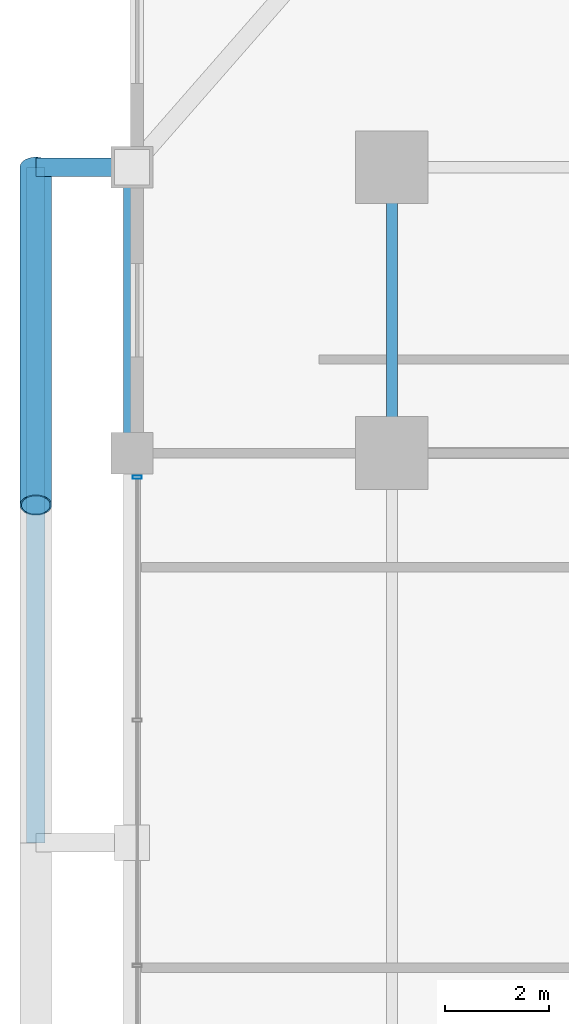
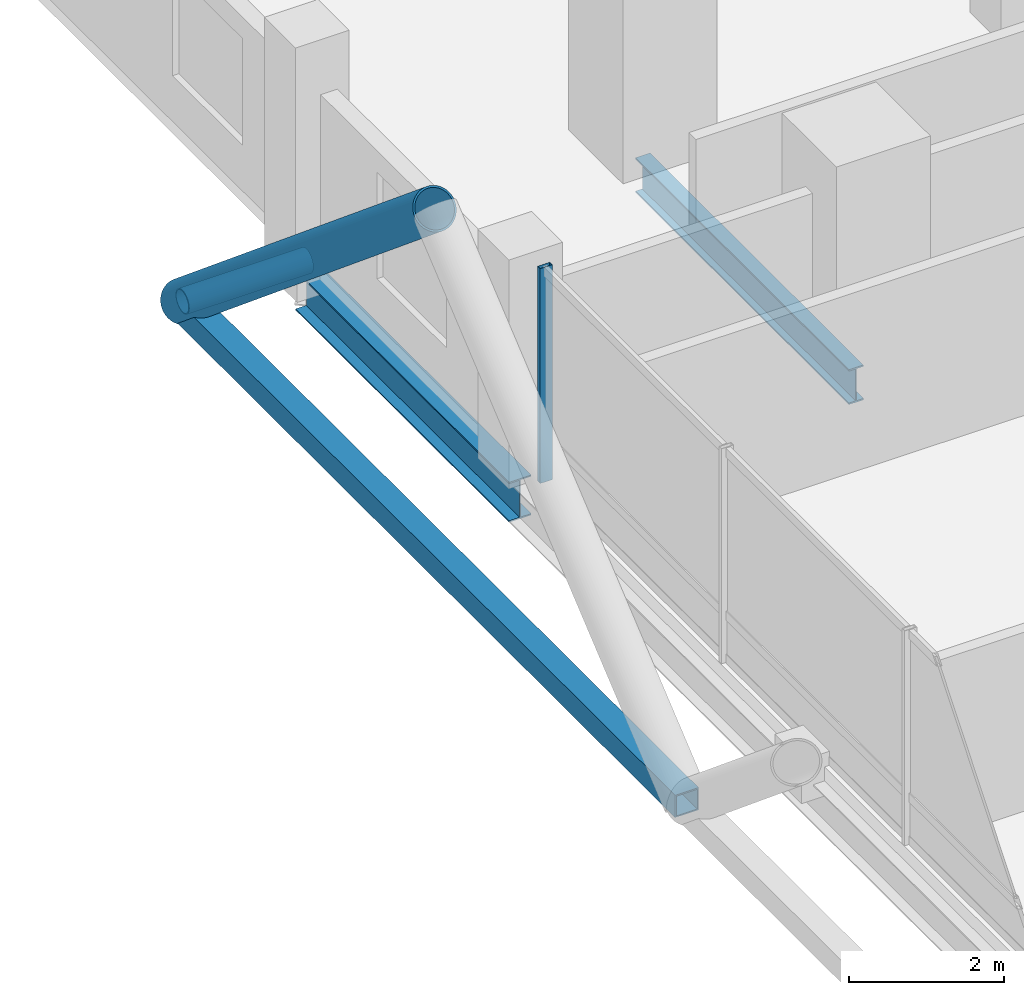
# One storey, part 13 of 26: 4 members, 2 beams, 1 element without a shape of its own.
"""IFC4 building model written with IfcOpenShell, lengths in metres."""

from ifc_helpers import new_model, si_unit, direction, frame, origin, origin_2d, place, context, subcontext, project, spatial, hollow_rectangle, hollow_circle, i_section, extrude, material, layer, layer_set, material_profile, profile_set, type_object, element, aggregate, save


model = new_model("IFC4")

# Units and contexts
model_context = context("Model", 3, precision=1e-05, world=origin(), true_north=direction((0.0, 1.0)))
body_context = subcontext(model_context, "Body", "Model", "MODEL_VIEW")
ifc_project = project(units=[si_unit("LENGTHUNIT", "METRE"), si_unit("AREAUNIT", "SQUARE_METRE"), si_unit("VOLUMEUNIT", "CUBIC_METRE"), si_unit("PLANEANGLEUNIT", "RADIAN"), si_unit("MASSUNIT", "GRAM", prefix="KILO")], contexts=[model_context])

# Site, building, storey
site_placement = place(None, origin())
site = spatial("IfcSite", under=ifc_project, at=site_placement, CompositionType="ELEMENT")
building_placement = place(site_placement, origin())
building = spatial("IfcBuilding", under=site, at=building_placement, Name="Barlavira Tower and Art Museum", CompositionType="ELEMENT")
storey_placement = place(building_placement, frame((0.0, 0.0, 82.800048828125)))
storey = spatial("IfcBuildingStorey", under=building, at=storey_placement, Name="L20", CompositionType="ELEMENT", Elevation=82.800048828125)

# Curtain wall, member
ifc_material_1 = material(Name="Low-iron coastal laminated glass", Category="glass")
ifc_layer = layer(ifc_material_1, 0.179931640625, Name="Low-iron coastal laminated glass")
ifc_layer_set = layer_set([ifc_layer], Name="Low-iron coastal laminated glass")
curtain_wall_type = type_object("IfcCurtainWallType", Name="Pale-Metal Unitised Curtain Wall Zone 1", PredefinedType="NOTDEFINED", material=ifc_layer_set)
curtain_wall_placement = place(storey_placement, origin())
curtain_wall = element("IfcCurtainWall", 1, at=curtain_wall_placement, inside=storey, type_object=curtain_wall_type, Name="L20 Curtain Wall CW1-L20-W-B3", PredefinedType="NOTDEFINED")
ifc_material_2 = material(Name="Pale anodised aluminium", Category="aluminium")
ifc_material_profile_1 = material_profile(ifc_material_2, hollow_rectangle(XDim=0.06494140625, YDim=0.179931640625, WallThickness=0.00390625, at=origin_2d()), Name="ALU-MULL 65x180x4")
ifc_profile_set_1 = profile_set([ifc_material_profile_1], Name="Pale anodised aluminium")
member_type_1 = type_object("IfcMemberType", Name="Curtain Wall Pale-Metal Mullion 65x180", PredefinedType="MULLION", material=ifc_profile_set_1)
member_1_placement = place(storey_placement, frame((-21.89990234375, 7.034912109375, 0.0), z_axis=(0.0, 0.0, 1.0), x_axis=(0.0, -1.0, 0.0)))
member_1 = element("IfcMember", 2, at=member_1_placement, type_object=member_type_1, Name="CW1-L20-W-B3 Mullion 0", PredefinedType="MULLION", context=body_context, shape_type="SweptSolid", body=[
    extrude(hollow_rectangle(XDim=0.06494140625, YDim=0.179931640625, WallThickness=0.00390625, at=origin_2d()), origin(), (0.0, 0.0, 1.0), 3.3798828125),
])
aggregate(curtain_wall, [member_1])

# Members
ifc_material_3 = material(Name="Steel S355", Category="steel")
ifc_material_profile_2 = material_profile(ifc_material_3, hollow_circle(Radius=0.304931640625, WallThickness=0.028076171875, at=origin_2d()), Name="CHS 610.0x28.0")
ifc_profile_set_2 = profile_set([ifc_material_profile_2], Name="Steel S355")
member_type_2 = type_object("IfcMemberType", Name="Pale-Metal Exoskeleton Diagrid Tube CHS 610x28 Steel S355", PredefinedType="BRACE", material=ifc_profile_set_2)
member_2_placement = place(storey_placement, frame((-23.85009765625, 13.0, -0.1201171875), z_axis=(0.0, -0.76918185268, 0.639029950399), x_axis=(1.0, 0.0, 0.0)))
element("IfcMember", 3, at=member_2_placement, inside=storey, type_object=member_type_2, Name="L20 Exoskeleton Diagrid Tube W", PredefinedType="BRACE", context=body_context, shape_type="SweptSolid", body=[
    extrude(hollow_circle(Radius=0.304931640625, WallThickness=0.028076171875, at=origin_2d()), origin(), (0.0, 0.0, 1.0), 8.450439453125),
])
ifc_material_profile_3 = material_profile(ifc_material_3, hollow_rectangle(XDim=0.35009765625, YDim=0.35009765625, WallThickness=0.02001953125, at=origin_2d()), Name="SHS 350x350x20.0")
ifc_profile_set_3 = profile_set([ifc_material_profile_3], Name="Steel S355")
member_type_3 = type_object("IfcMemberType", Name="Pale-Metal Exoskeleton Ring Strut SHS 350x350x20 Steel S355", PredefinedType="STRUT", material=ifc_profile_set_3)
member_3_placement = place(storey_placement, frame((-23.85009765625, 0.0, -0.1201171875), z_axis=(0.0, 1.0, 0.0), x_axis=(-1.0, 0.0, 0.0)))
element("IfcMember", 4, at=member_3_placement, inside=storey, type_object=member_type_3, Name="L20 Exoskeleton Ring Strut W", PredefinedType="STRUT", context=body_context, shape_type="SweptSolid", body=[
    extrude(hollow_rectangle(XDim=0.35009765625, YDim=0.35009765625, WallThickness=0.02001953125, at=origin_2d()), origin(), (0.0, 0.0, 1.0), 13.0),
])
ifc_material_profile_4 = material_profile(ifc_material_3, hollow_circle(Radius=0.177734375, WallThickness=0.01611328125, at=origin_2d()), Name="CHS 355.6x16.0")
ifc_profile_set_4 = profile_set([ifc_material_profile_4], Name="Steel S355")
member_type_4 = type_object("IfcMemberType", Name="Pale-Metal Exoskeleton Tie Strut CHS 356x16 Steel S355", PredefinedType="STRUT", material=ifc_profile_set_4)
member_4_placement = place(storey_placement, frame((-23.85009765625, 13.0, -0.1201171875), z_axis=(1.0, 0.0, 0.0), x_axis=(0.0, 1.0, 0.0)))
element("IfcMember", 5, at=member_4_placement, inside=storey, type_object=member_type_4, Name="L20 Exoskeleton Tie Strut W3", PredefinedType="STRUT", context=body_context, shape_type="SweptSolid", body=[
    extrude(hollow_circle(Radius=0.177734375, WallThickness=0.01611328125, at=origin_2d()), origin(), (0.0, 0.0, 1.0), 1.85009765625),
])

# Beams
ifc_material_profile_5 = material_profile(ifc_material_3, i_section(OverallWidth=0.327880859375, OverallDepth=0.62890625, WebThickness=0.013916015625, FlangeThickness=0.021484375, at=origin_2d()), Name="W610x174.0")
ifc_profile_set_5 = profile_set([ifc_material_profile_5], Name="Steel S355")
beam_type_1 = type_object("IfcBeamType", Name="Perimeter Spandrel Edge Beam W610x174 Steel S355", PredefinedType="SPANDREL", material=ifc_profile_set_5)
beam_1_placement = place(storey_placement, frame((-22.0, 7.5, -0.53466796875), z_axis=(0.0, 1.0, 0.0), x_axis=(-1.0, 0.0, 0.0)))
element("IfcBeam", 6, at=beam_1_placement, inside=storey, type_object=beam_type_1, Name="L20 Spandrel 13", PredefinedType="SPANDREL", context=body_context, shape_type="SweptSolid", body=[
    extrude(i_section(OverallWidth=0.327880859375, OverallDepth=0.62890625, WebThickness=0.013916015625, FlangeThickness=0.021484375, at=origin_2d()), origin(), (0.0, 0.0, 1.0), 5.5),
])
ifc_material_profile_6 = material_profile(ifc_material_3, i_section(OverallWidth=0.214111328125, OverallDepth=0.549072265625, WebThickness=0.0146484375, FlangeThickness=0.023681640625, at=origin_2d()), Name="W530x138.0")
ifc_profile_set_6 = profile_set([ifc_material_profile_6], Name="Steel S355")
beam_type_2 = type_object("IfcBeamType", Name="Zone 1 Primary Floor Girder W530x138 Steel S355", PredefinedType="BEAM", material=ifc_profile_set_6)
beam_2_placement = place(storey_placement, frame((-17.0, 7.5, -0.49462890625), z_axis=(0.0, 1.0, 0.0), x_axis=(-1.0, 0.0, 0.0)))
element("IfcBeam", 7, at=beam_2_placement, inside=storey, type_object=beam_type_2, Name="L20 Girder M-W3", PredefinedType="BEAM", context=body_context, shape_type="SweptSolid", body=[
    extrude(i_section(OverallWidth=0.214111328125, OverallDepth=0.549072265625, WebThickness=0.0146484375, FlangeThickness=0.023681640625, at=origin_2d()), origin(), (0.0, 0.0, 1.0), 5.5),
])

save(model, "model.ifc")
